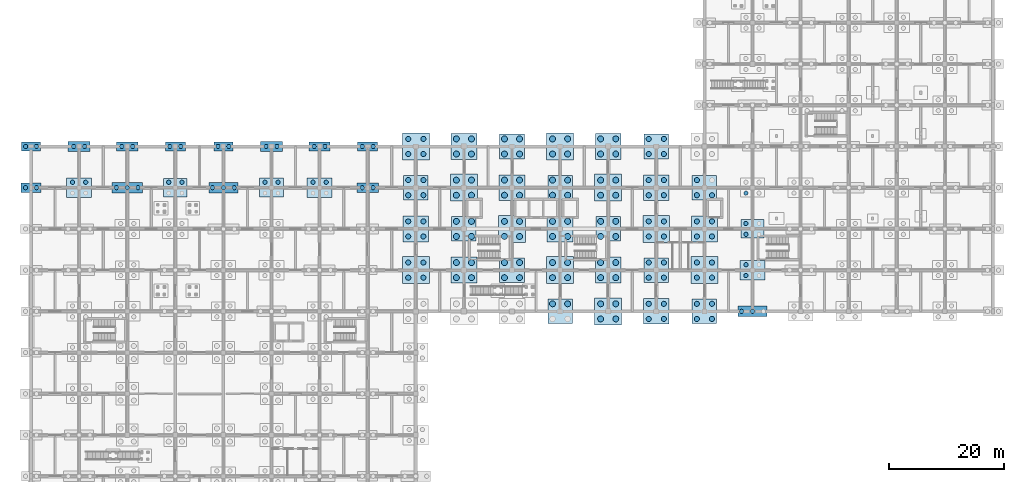
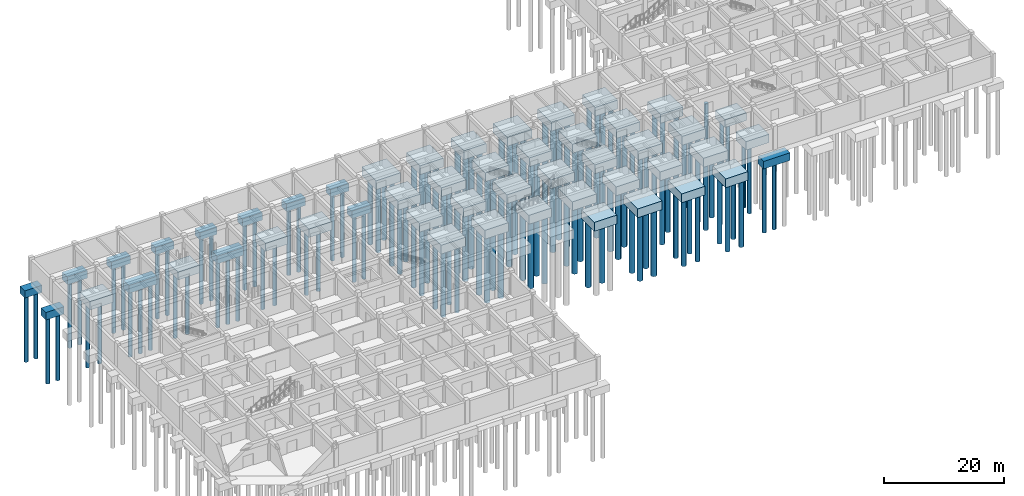
# One storey, part 3 of 38: 162 piles, 50 footings.
"""IFC4 building model written with IfcOpenShell, lengths in metres."""

from ifc_helpers import new_model, si_unit, derived_unit, direction, frame, origin, origin_2d, place, context, subcontext, project, spatial, rectangle, circle, extrude, material, material_profile, profile_set, type_object, element, save


model = new_model("IFC4")

# Units and contexts
model_context = context("Model", 3, precision=1e-05, world=origin(), true_north=direction((0.0, 1.0)))
body_context = subcontext(model_context, "Body", "Model", "MODEL_VIEW")
ifc_project = project(units=[si_unit("LENGTHUNIT", "METRE"), si_unit("AREAUNIT", "SQUARE_METRE"), si_unit("VOLUMEUNIT", "CUBIC_METRE"), si_unit("PLANEANGLEUNIT", "RADIAN"), si_unit("MASSUNIT", "GRAM", prefix="KILO"), derived_unit("THERMALTRANSMITTANCEUNIT", [(si_unit("MASSUNIT", "GRAM", prefix="KILO"), 1), (si_unit("TIMEUNIT", "SECOND"), -3), (si_unit("THERMODYNAMICTEMPERATUREUNIT", "KELVIN"), -1)])], contexts=[model_context])

# Site, building, storey
site_placement = place(None, origin())
site = spatial("IfcSite", under=ifc_project, at=site_placement, CompositionType="ELEMENT")
building_placement = place(site_placement, origin())
building = spatial("IfcBuilding", under=site, at=building_placement, Name="Veldstrom Oceanarium and Marine Research Institute", CompositionType="ELEMENT")
storey_placement = place(building_placement, frame((0.0, 0.0, -9.60009765625)))
storey = spatial("IfcBuildingStorey", under=building, at=storey_placement, Name="B02", CompositionType="ELEMENT", Elevation=-9.60009765625)

# Footings
ifc_material_1 = material(Name="Concrete C40/50", Category="concrete")
footing_type_1 = type_object("IfcFootingType", Name="STR-FTG-PC01", PredefinedType="PILE_CAP", material=ifc_material_1)
for number, where, z_axis, x_axis, name in (
    (1, (67.199951171875, 50.39990234375, -3.0), (0.0, 0.0, 1.0), (1.0, 0.0, 0.0), "Pile Cap PC01 9/H"),
    (2, (67.199951171875, 72.0, -3.0), (0.0, 0.0, 1.0), (1.0, 0.0, 0.0), "Pile Cap PC01 9/L"),
    (3, (75.60009765625, 64.800048828125, -3.0), (0.0, 0.0, 1.0), (1.0, 0.0, 0.0), "Pile Cap PC01 10/K"),
    (4, (84.0, 57.60009765625, -3.0), (0.0, 0.0, 1.0), (1.0, 0.0, 0.0), "Pile Cap PC01 11/J"),
    (5, (92.39990234375, 50.39990234375, -3.0), (0.0, 0.0, 1.0), (1.0, 0.0, 0.0), "Pile Cap PC01 12/H"),
    (6, (92.39990234375, 72.0, -3.0), (0.0, 0.0, 1.0), (1.0, 0.0, 0.0), "Pile Cap PC01 12/L"),
    (7, (100.800048828125, 43.199951171875, -3.0), (0.0, 0.0, 1.0), (1.0, 0.0, 0.0), "Pile Cap PC01 13/G"),
    (8, (100.800048828125, 64.800048828125, -3.0), (0.0, 0.0, 1.0), (1.0, 0.0, 0.0), "Pile Cap PC01 13/K"),
    (9, (109.199951171875, 57.60009765625, -3.0), (0.0, 0.0, 1.0), (1.0, 0.0, 0.0), "Pile Cap PC01 14/J"),
    (10, (117.60009765625, 50.39990234375, -3.0), (0.0, 0.0, 1.0), (1.0, 0.0, 0.0), "Pile Cap PC01 15/H"),
):
    element("IfcFooting", number, at=place(storey_placement, frame(where, z_axis=z_axis, x_axis=x_axis)), inside=storey, type_object=footing_type_1, Name=name, PredefinedType="PILE_CAP", context=body_context, shape_type="SweptSolid", body=[
        extrude(rectangle(XDim=4.699951171875, YDim=4.699951171875, at=origin_2d()), origin(), (0.0, 0.0, 1.0), 1.800048828125),
    ])
ifc_material_2 = material(Name="Concrete C40/50", Category="concrete")
footing_type_2 = type_object("IfcFootingType", Name="STR-FTG-PC02", PredefinedType="PILE_CAP", material=ifc_material_2)
for number, where, z_axis, x_axis, name in (
    (11, (67.199951171875, 57.60009765625, -3.0), (0.0, 0.0, 1.0), (1.0, 0.0, 0.0), "Pile Cap PC02 9/J"),
    (12, (75.60009765625, 50.39990234375, -3.0), (0.0, 0.0, 1.0), (1.0, 0.0, 0.0), "Pile Cap PC02 10/H"),
    (13, (75.60009765625, 72.0, -3.0), (0.0, 0.0, 1.0), (1.0, 0.0, 0.0), "Pile Cap PC02 10/L"),
    (14, (84.0, 64.800048828125, -3.0), (0.0, 0.0, 1.0), (1.0, 0.0, 0.0), "Pile Cap PC02 11/K"),
    (15, (92.39990234375, 57.60009765625, -3.0), (0.0, 0.0, 1.0), (1.0, 0.0, 0.0), "Pile Cap PC02 12/J"),
    (16, (100.800048828125, 50.39990234375, -3.0), (0.0, 0.0, 1.0), (1.0, 0.0, 0.0), "Pile Cap PC02 13/H"),
    (17, (100.800048828125, 72.0, -3.0), (0.0, 0.0, 1.0), (1.0, 0.0, 0.0), "Pile Cap PC02 13/L"),
    (18, (109.199951171875, 43.199951171875, -3.0), (0.0, 0.0, 1.0), (1.0, 0.0, 0.0), "Pile Cap PC02 14/G"),
    (19, (109.199951171875, 64.800048828125, -3.0), (0.0, 0.0, 1.0), (1.0, 0.0, 0.0), "Pile Cap PC02 14/K"),
    (20, (117.60009765625, 57.60009765625, -3.0), (0.0, 0.0, 1.0), (1.0, 0.0, 0.0), "Pile Cap PC02 15/J"),
):
    element("IfcFooting", number, at=place(storey_placement, frame(where, z_axis=z_axis, x_axis=x_axis)), inside=storey, type_object=footing_type_2, Name=name, PredefinedType="PILE_CAP", context=body_context, shape_type="SweptSolid", body=[
        extrude(rectangle(XDim=4.5, YDim=4.5, at=origin_2d()), origin(), (0.0, 0.0, 1.0), 1.800048828125),
    ])
ifc_material_3 = material(Name="Concrete C40/50", Category="concrete")
footing_type_3 = type_object("IfcFootingType", Name="STR-FTG-PC03", PredefinedType="PILE_CAP", material=ifc_material_3)
for number, where, z_axis, x_axis, name in (
    (21, (67.199951171875, 64.800048828125, -3.0), (0.0, 0.0, 1.0), (1.0, 0.0, 0.0), "Pile Cap PC03 9/K"),
    (22, (75.60009765625, 57.60009765625, -3.0), (0.0, 0.0, 1.0), (1.0, 0.0, 0.0), "Pile Cap PC03 10/J"),
    (23, (84.0, 50.39990234375, -3.0), (0.0, 0.0, 1.0), (1.0, 0.0, 0.0), "Pile Cap PC03 11/H"),
    (24, (84.0, 72.0, -3.0), (0.0, 0.0, 1.0), (1.0, 0.0, 0.0), "Pile Cap PC03 11/L"),
    (25, (92.39990234375, 43.199951171875, -3.0), (0.0, 0.0, 1.0), (1.0, 0.0, 0.0), "Pile Cap PC03 12/G"),
    (26, (92.39990234375, 64.800048828125, -3.0), (0.0, 0.0, 1.0), (1.0, 0.0, 0.0), "Pile Cap PC03 12/K"),
    (27, (100.800048828125, 57.60009765625, -3.0), (0.0, 0.0, 1.0), (1.0, 0.0, 0.0), "Pile Cap PC03 13/J"),
    (28, (109.199951171875, 50.39990234375, -3.0), (0.0, 0.0, 1.0), (1.0, 0.0, 0.0), "Pile Cap PC03 14/H"),
    (29, (109.199951171875, 72.0, -3.0), (0.0, 0.0, 1.0), (1.0, 0.0, 0.0), "Pile Cap PC03 14/L"),
    (30, (117.60009765625, 43.199951171875, -3.0), (0.0, 0.0, 1.0), (1.0, 0.0, 0.0), "Pile Cap PC03 15/G"),
    (31, (117.60009765625, 64.800048828125, -3.0), (0.0, 0.0, 1.0), (1.0, 0.0, 0.0), "Pile Cap PC03 15/K"),
):
    element("IfcFooting", number, at=place(storey_placement, frame(where, z_axis=z_axis, x_axis=x_axis)), inside=storey, type_object=footing_type_3, Name=name, PredefinedType="PILE_CAP", context=body_context, shape_type="SweptSolid", body=[
        extrude(rectangle(XDim=4.300048828125, YDim=4.300048828125, at=origin_2d()), origin(), (0.0, 0.0, 1.0), 1.800048828125),
    ])
ifc_material_4 = material(Name="Concrete C40/50", Category="concrete")
footing_type_4 = type_object("IfcFootingType", Name="STR-FTG-PC06", PredefinedType="PILE_CAP", material=ifc_material_4)
footing_1_placement = place(storey_placement, frame((16.800048828125, 64.800048828125, -2.800048828125), z_axis=(0.0, 0.0, 1.0), x_axis=(1.0, 0.0, 0.0)))
element("IfcFooting", 32, at=footing_1_placement, inside=storey, type_object=footing_type_4, Name="Pile Cap PC06 3/K", PredefinedType="PILE_CAP", context=body_context, shape_type="SweptSolid", body=[
    extrude(rectangle(XDim=5.39990234375, YDim=1.800048828125, at=origin_2d()), origin(), (0.0, 0.0, 1.0), 1.60009765625),
])
ifc_material_5 = material(Name="Concrete C40/50", Category="concrete")
footing_type_5 = type_object("IfcFootingType", Name="STR-FTG-PC07", PredefinedType="PILE_CAP", material=ifc_material_5)
for number, where, z_axis, x_axis, name in (
    (33, (33.60009765625, 64.800048828125, -2.75), (0.0, 0.0, 1.0), (1.0, 0.0, 0.0), "Pile Cap PC07 5/K"),
    (34, (126.0, 43.199951171875, -2.75), (0.0, 0.0, 1.0), (1.0, 0.0, 0.0), "Pile Cap PC07 16/G"),
):
    element("IfcFooting", number, at=place(storey_placement, frame(where, z_axis=z_axis, x_axis=x_axis)), inside=storey, type_object=footing_type_5, Name=name, PredefinedType="PILE_CAP", context=body_context, shape_type="SweptSolid", body=[
        extrude(rectangle(XDim=5.10009765625, YDim=1.800048828125, at=origin_2d()), origin(), (0.0, 0.0, 1.0), 1.550048828125),
    ])
ifc_material_6 = material(Name="Concrete C40/50", Category="concrete")
footing_type_6 = type_object("IfcFootingType", Name="STR-FTG-PC08", PredefinedType="PILE_CAP", material=ifc_material_6)
for number, where, z_axis, x_axis, name in (
    (35, (16.800048828125, 72.0, -2.699951171875), (0.0, 0.0, 1.0), (1.0, 0.0, 0.0), "Pile Cap PC08 3/L"),
    (36, (50.39990234375, 72.0, -2.699951171875), (0.0, 0.0, 1.0), (1.0, 0.0, 0.0), "Pile Cap PC08 7/L"),
    (37, (58.800048828125, 64.800048828125, -2.699951171875), (0.0, 0.0, 1.0), (1.0, 0.0, 0.0), "Pile Cap PC08 8/K"),
):
    element("IfcFooting", number, at=place(storey_placement, frame(where, z_axis=z_axis, x_axis=x_axis)), inside=storey, type_object=footing_type_6, Name=name, PredefinedType="PILE_CAP", context=body_context, shape_type="SweptSolid", body=[
        extrude(rectangle(XDim=3.699951171875, YDim=1.60009765625, at=origin_2d()), origin(), (0.0, 0.0, 1.0), 1.5),
    ])
ifc_material_7 = material(Name="Concrete C40/50", Category="concrete")
footing_type_7 = type_object("IfcFootingType", Name="STR-FTG-PC09", PredefinedType="PILE_CAP", material=ifc_material_7)
for number, where, z_axis, x_axis, name in (
    (38, (0.0, 64.800048828125, -2.699951171875), (0.0, 0.0, 1.0), (1.0, 0.0, 0.0), "Pile Cap PC09 1/K"),
    (39, (25.199951171875, 72.0, -2.699951171875), (0.0, 0.0, 1.0), (1.0, 0.0, 0.0), "Pile Cap PC09 4/L"),
    (40, (58.800048828125, 72.0, -2.699951171875), (0.0, 0.0, 1.0), (1.0, 0.0, 0.0), "Pile Cap PC09 8/L"),
):
    element("IfcFooting", number, at=place(storey_placement, frame(where, z_axis=z_axis, x_axis=x_axis)), inside=storey, type_object=footing_type_7, Name=name, PredefinedType="PILE_CAP", context=body_context, shape_type="SweptSolid", body=[
        extrude(rectangle(XDim=3.5, YDim=1.60009765625, at=origin_2d()), origin(), (0.0, 0.0, 1.0), 1.5),
    ])
ifc_material_8 = material(Name="Concrete C40/50", Category="concrete")
footing_type_8 = type_object("IfcFootingType", Name="STR-FTG-PC10", PredefinedType="PILE_CAP", material=ifc_material_8)
for number, where, z_axis, x_axis, name in (
    (41, (0.0, 72.0, -2.64990234375), (0.0, 0.0, 1.0), (1.0, 0.0, 0.0), "Pile Cap PC10 1/L"),
    (42, (33.60009765625, 72.0, -2.64990234375), (0.0, 0.0, 1.0), (1.0, 0.0, 0.0), "Pile Cap PC10 5/L"),
):
    element("IfcFooting", number, at=place(storey_placement, frame(where, z_axis=z_axis, x_axis=x_axis)), inside=storey, type_object=footing_type_8, Name=name, PredefinedType="PILE_CAP", context=body_context, shape_type="SweptSolid", body=[
        extrude(rectangle(XDim=3.300048828125, YDim=1.60009765625, at=origin_2d()), origin(), (0.0, 0.0, 1.0), 1.449951171875),
    ])
ifc_material_9 = material(Name="Concrete C40/50", Category="concrete")
footing_type_9 = type_object("IfcFootingType", Name="STR-FTG-PC11", PredefinedType="PILE_CAP", material=ifc_material_9)
for number, where, z_axis, x_axis, name in (
    (43, (8.39990234375, 64.800048828125, -2.89990234375), (0.0, 0.0, 1.0), (1.0, 0.0, 0.0), "Pile Cap PC11 2/K"),
    (44, (50.39990234375, 64.800048828125, -2.89990234375), (0.0, 0.0, 1.0), (1.0, 0.0, 0.0), "Pile Cap PC11 7/K"),
    (45, (126.0, 50.39990234375, -2.89990234375), (0.0, 0.0, 1.0), (1.0, 0.0, 0.0), "Pile Cap PC11 16/H"),
):
    element("IfcFooting", number, at=place(storey_placement, frame(where, z_axis=z_axis, x_axis=x_axis)), inside=storey, type_object=footing_type_9, Name=name, PredefinedType="PILE_CAP", context=body_context, shape_type="SweptSolid", body=[
        extrude(rectangle(XDim=4.39990234375, YDim=3.39990234375, at=origin_2d()), origin(), (0.0, 0.0, 1.0), 1.699951171875),
    ])
ifc_material_10 = material(Name="Concrete C40/50", Category="concrete")
footing_type_10 = type_object("IfcFootingType", Name="STR-FTG-PC12", PredefinedType="PILE_CAP", material=ifc_material_10)
for number, where, z_axis, x_axis, name in (
    (46, (25.199951171875, 64.800048828125, -2.800048828125), (0.0, 0.0, 1.0), (1.0, 0.0, 0.0), "Pile Cap PC12 4/K"),
    (47, (126.0, 57.60009765625, -2.800048828125), (0.0, 0.0, 1.0), (1.0, 0.0, 0.0), "Pile Cap PC12 16/J"),
):
    element("IfcFooting", number, at=place(storey_placement, frame(where, z_axis=z_axis, x_axis=x_axis)), inside=storey, type_object=footing_type_10, Name=name, PredefinedType="PILE_CAP", context=body_context, shape_type="SweptSolid", body=[
        extrude(rectangle(XDim=4.10009765625, YDim=3.199951171875, at=origin_2d()), origin(), (0.0, 0.0, 1.0), 1.60009765625),
    ])
ifc_material_11 = material(Name="Concrete C40/50", Category="concrete")
footing_type_11 = type_object("IfcFootingType", Name="STR-FTG-PC13", PredefinedType="PILE_CAP", material=ifc_material_11)
footing_2_placement = place(storey_placement, frame((42.0, 64.800048828125, -2.849853515625), z_axis=(0.0, 0.0, 1.0), x_axis=(1.0, 0.0, 0.0)))
element("IfcFooting", 48, at=footing_2_placement, inside=storey, type_object=footing_type_11, Name="Pile Cap PC13 6/K", PredefinedType="PILE_CAP", context=body_context, shape_type="SweptSolid", body=[
    extrude(rectangle(XDim=4.25, YDim=3.300048828125, at=origin_2d()), origin(), (0.0, 0.0, 1.0), 1.64990234375),
])
ifc_material_12 = material(Name="Concrete C40/50", Category="concrete")
footing_type_12 = type_object("IfcFootingType", Name="STR-FTG-PC14", PredefinedType="PILE_CAP", material=ifc_material_12)
for number, where, z_axis, x_axis, name in (
    (49, (8.39990234375, 72.0, -2.75), (0.0, 0.0, 1.0), (1.0, 0.0, 0.0), "Pile Cap PC14 2/L"),
    (50, (42.0, 72.0, -2.75), (0.0, 0.0, 1.0), (1.0, 0.0, 0.0), "Pile Cap PC14 6/L"),
):
    element("IfcFooting", number, at=place(storey_placement, frame(where, z_axis=z_axis, x_axis=x_axis)), inside=storey, type_object=footing_type_12, Name=name, PredefinedType="PILE_CAP", context=body_context, shape_type="SweptSolid", body=[
        extrude(rectangle(XDim=3.85009765625, YDim=1.699951171875, at=origin_2d()), origin(), (0.0, 0.0, 1.0), 1.550048828125),
    ])

# Piles
ifc_material_13 = material(Name="Concrete C40/50", Category="concrete")
ifc_material_profile_1 = material_profile(ifc_material_13, circle(Radius=0.375, at=origin_2d()), Name="PILE-D750")
ifc_profile_set_1 = profile_set([ifc_material_profile_1], Name="Concrete C40/50")
pile_type_1 = type_object("IfcPileType", Name="STR-PILE-PL1", PredefinedType="BORED", material=ifc_profile_set_1)
for number, where, z_axis, x_axis, name in (
    (51, (-0.949951171875, 64.800048828125, -2.699951171875), (0.0, 0.0, -1.0), (1.0, 0.0, 0.0), "Bored Pile PL1-019"),
    (52, (0.949951171875, 64.800048828125, -2.699951171875), (0.0, 0.0, -1.0), (1.0, 0.0, 0.0), "Bored Pile PL1-020"),
    (53, (-0.949951171875, 72.0, -2.64990234375), (0.0, 0.0, -1.0), (1.0, 0.0, 0.0), "Bored Pile PL1-021"),
    (54, (0.949951171875, 72.0, -2.64990234375), (0.0, 0.0, -1.0), (1.0, 0.0, 0.0), "Bored Pile PL1-022"),
    (55, (7.25, 65.75, -2.89990234375), (0.0, 0.0, -1.0), (1.0, 0.0, 0.0), "Bored Pile PL1-055"),
    (56, (9.550048828125, 65.75, -2.89990234375), (0.0, 0.0, -1.0), (1.0, 0.0, 0.0), "Bored Pile PL1-056"),
    (57, (7.449951171875, 72.0, -2.75), (0.0, 0.0, -1.0), (1.0, 0.0, 0.0), "Bored Pile PL1-057"),
    (58, (9.35009765625, 72.0, -2.75), (0.0, 0.0, -1.0), (1.0, 0.0, 0.0), "Bored Pile PL1-058"),
    (59, (14.89990234375, 64.800048828125, -2.7998046875), (0.0, 0.0, -1.0), (1.0, 0.0, 0.0), "Bored Pile PL1-093"),
    (60, (16.800048828125, 64.800048828125, -2.7998046875), (0.0, 0.0, -1.0), (1.0, 0.0, 0.0), "Bored Pile PL1-094"),
    (61, (18.699951171875, 64.800048828125, -2.7998046875), (0.0, 0.0, -1.0), (1.0, 0.0, 0.0), "Bored Pile PL1-095"),
    (62, (15.85009765625, 72.0, -2.699951171875), (0.0, 0.0, -1.0), (1.0, 0.0, 0.0), "Bored Pile PL1-096"),
    (63, (17.75, 72.0, -2.699951171875), (0.0, 0.0, -1.0), (1.0, 0.0, 0.0), "Bored Pile PL1-097"),
    (64, (24.050048828125, 65.75, -2.7998046875), (0.0, 0.0, -1.0), (1.0, 0.0, 0.0), "Bored Pile PL1-126"),
    (65, (26.35009765625, 65.75, -2.7998046875), (0.0, 0.0, -1.0), (1.0, 0.0, 0.0), "Bored Pile PL1-127"),
    (66, (24.25, 72.0, -2.699951171875), (0.0, 0.0, -1.0), (1.0, 0.0, 0.0), "Bored Pile PL1-128"),
    (67, (26.14990234375, 72.0, -2.699951171875), (0.0, 0.0, -1.0), (1.0, 0.0, 0.0), "Bored Pile PL1-129"),
    (68, (31.699951171875, 64.800048828125, -2.75), (0.0, 0.0, -1.0), (1.0, 0.0, 0.0), "Bored Pile PL1-159"),
    (69, (33.60009765625, 64.800048828125, -2.75), (0.0, 0.0, -1.0), (1.0, 0.0, 0.0), "Bored Pile PL1-160"),
    (70, (35.5, 64.800048828125, -2.75), (0.0, 0.0, -1.0), (1.0, 0.0, 0.0), "Bored Pile PL1-161"),
    (71, (32.64990234375, 72.0, -2.64990234375), (0.0, 0.0, -1.0), (1.0, 0.0, 0.0), "Bored Pile PL1-162"),
    (72, (34.550048828125, 72.0, -2.64990234375), (0.0, 0.0, -1.0), (1.0, 0.0, 0.0), "Bored Pile PL1-163"),
    (73, (40.85009765625, 65.75, -2.849853515625), (0.0, 0.0, -1.0), (1.0, 0.0, 0.0), "Bored Pile PL1-198"),
    (74, (43.14990234375, 65.75, -2.849853515625), (0.0, 0.0, -1.0), (1.0, 0.0, 0.0), "Bored Pile PL1-199"),
    (75, (41.050048828125, 72.0, -2.75), (0.0, 0.0, -1.0), (1.0, 0.0, 0.0), "Bored Pile PL1-200"),
    (76, (42.949951171875, 72.0, -2.75), (0.0, 0.0, -1.0), (1.0, 0.0, 0.0), "Bored Pile PL1-201"),
    (77, (49.25, 65.75, -2.89990234375), (0.0, 0.0, -1.0), (1.0, 0.0, 0.0), "Bored Pile PL1-234"),
    (78, (51.550048828125, 65.75, -2.89990234375), (0.0, 0.0, -1.0), (1.0, 0.0, 0.0), "Bored Pile PL1-235"),
    (79, (49.449951171875, 72.0, -2.699951171875), (0.0, 0.0, -1.0), (1.0, 0.0, 0.0), "Bored Pile PL1-236"),
    (80, (51.35009765625, 72.0, -2.699951171875), (0.0, 0.0, -1.0), (1.0, 0.0, 0.0), "Bored Pile PL1-237"),
    (81, (57.85009765625, 64.800048828125, -2.699951171875), (0.0, 0.0, -1.0), (1.0, 0.0, 0.0), "Bored Pile PL1-256"),
    (82, (59.75, 64.800048828125, -2.699951171875), (0.0, 0.0, -1.0), (1.0, 0.0, 0.0), "Bored Pile PL1-257"),
    (83, (57.85009765625, 72.0, -2.699951171875), (0.0, 0.0, -1.0), (1.0, 0.0, 0.0), "Bored Pile PL1-258"),
    (84, (59.75, 72.0, -2.699951171875), (0.0, 0.0, -1.0), (1.0, 0.0, 0.0), "Bored Pile PL1-259"),
    (85, (124.10009765625, 43.199951171875, -2.75), (0.0, 0.0, -1.0), (1.0, 0.0, 0.0), "Bored Pile PL1-432"),
    (86, (126.0, 43.199951171875, -2.75), (0.0, 0.0, -1.0), (1.0, 0.0, 0.0), "Bored Pile PL1-433"),
    (87, (124.85009765625, 49.449951171875, -2.89990234375), (0.0, 0.0, -1.0), (1.0, 0.0, 0.0), "Bored Pile PL1-435"),
    (88, (124.85009765625, 51.35009765625, -2.89990234375), (0.0, 0.0, -1.0), (1.0, 0.0, 0.0), "Bored Pile PL1-437"),
    (89, (124.85009765625, 56.64990234375, -2.7998046875), (0.0, 0.0, -1.0), (1.0, 0.0, 0.0), "Bored Pile PL1-439"),
    (90, (124.85009765625, 58.550048828125, -2.7998046875), (0.0, 0.0, -1.0), (1.0, 0.0, 0.0), "Bored Pile PL1-441"),
    (91, (124.85009765625, 63.85009765625, -2.849853515625), (0.0, 0.0, -1.0), (1.0, 0.0, 0.0), "Bored Pile PL1-443"),
):
    element("IfcPile", number, at=place(storey_placement, frame(where, z_axis=z_axis, x_axis=x_axis)), inside=storey, type_object=pile_type_1, Name=name, PredefinedType="BORED", context=body_context, shape_type="SweptSolid", body=[
        extrude(circle(Radius=0.375, at=origin_2d()), origin(), (0.0, 0.0, 1.0), 13.5),
    ])
ifc_material_14 = material(Name="Concrete C40/50", Category="concrete")
ifc_material_profile_2 = material_profile(ifc_material_14, circle(Radius=0.449951171875, at=origin_2d()), Name="PILE-D900")
ifc_profile_set_2 = profile_set([ifc_material_profile_2], Name="Concrete C40/50")
pile_type_2 = type_object("IfcPileType", Name="STR-PILE-PL2", PredefinedType="BORED", material=ifc_profile_set_2)
for number, where, z_axis, x_axis, name in (
    (92, (65.8798828125, 49.080078125, -3.0), (0.0, 0.0, -1.0), (1.0, 0.0, 0.0), "Bored Pile PL2-284"),
    (93, (68.52001953125, 49.080078125, -3.0), (0.0, 0.0, -1.0), (1.0, 0.0, 0.0), "Bored Pile PL2-285"),
    (94, (65.8798828125, 51.719970703125, -3.0), (0.0, 0.0, -1.0), (1.0, 0.0, 0.0), "Bored Pile PL2-286"),
    (95, (68.52001953125, 51.719970703125, -3.0), (0.0, 0.0, -1.0), (1.0, 0.0, 0.0), "Bored Pile PL2-287"),
    (96, (65.8798828125, 56.280029296875, -3.0), (0.0, 0.0, -1.0), (1.0, 0.0, 0.0), "Bored Pile PL2-288"),
    (97, (68.52001953125, 56.280029296875, -3.0), (0.0, 0.0, -1.0), (1.0, 0.0, 0.0), "Bored Pile PL2-289"),
    (98, (65.8798828125, 58.919921875, -3.0), (0.0, 0.0, -1.0), (1.0, 0.0, 0.0), "Bored Pile PL2-290"),
    (99, (68.52001953125, 58.919921875, -3.0), (0.0, 0.0, -1.0), (1.0, 0.0, 0.0), "Bored Pile PL2-291"),
    (100, (65.8798828125, 63.47998046875, -3.0), (0.0, 0.0, -1.0), (1.0, 0.0, 0.0), "Bored Pile PL2-292"),
    (101, (68.52001953125, 63.47998046875, -3.0), (0.0, 0.0, -1.0), (1.0, 0.0, 0.0), "Bored Pile PL2-293"),
    (102, (65.8798828125, 66.1201171875, -3.0), (0.0, 0.0, -1.0), (1.0, 0.0, 0.0), "Bored Pile PL2-294"),
    (103, (68.52001953125, 66.1201171875, -3.0), (0.0, 0.0, -1.0), (1.0, 0.0, 0.0), "Bored Pile PL2-295"),
    (104, (65.8798828125, 70.679931640625, -3.0), (0.0, 0.0, -1.0), (1.0, 0.0, 0.0), "Bored Pile PL2-296"),
    (105, (68.52001953125, 70.679931640625, -3.0), (0.0, 0.0, -1.0), (1.0, 0.0, 0.0), "Bored Pile PL2-297"),
    (106, (65.8798828125, 73.320068359375, -3.0), (0.0, 0.0, -1.0), (1.0, 0.0, 0.0), "Bored Pile PL2-298"),
    (107, (68.52001953125, 73.320068359375, -3.0), (0.0, 0.0, -1.0), (1.0, 0.0, 0.0), "Bored Pile PL2-299"),
    (108, (107.8798828125, 41.8798828125, -3.0), (0.0, 0.0, -1.0), (1.0, 0.0, 0.0), "Bored Pile PL2-380"),
    (109, (110.52001953125, 41.8798828125, -3.0), (0.0, 0.0, -1.0), (1.0, 0.0, 0.0), "Bored Pile PL2-381"),
    (110, (107.8798828125, 44.52001953125, -3.0), (0.0, 0.0, -1.0), (1.0, 0.0, 0.0), "Bored Pile PL2-382"),
    (111, (110.52001953125, 44.52001953125, -3.0), (0.0, 0.0, -1.0), (1.0, 0.0, 0.0), "Bored Pile PL2-383"),
    (112, (107.8798828125, 49.080078125, -3.0), (0.0, 0.0, -1.0), (1.0, 0.0, 0.0), "Bored Pile PL2-384"),
    (113, (110.52001953125, 49.080078125, -3.0), (0.0, 0.0, -1.0), (1.0, 0.0, 0.0), "Bored Pile PL2-385"),
    (114, (107.8798828125, 51.719970703125, -3.0), (0.0, 0.0, -1.0), (1.0, 0.0, 0.0), "Bored Pile PL2-386"),
    (115, (110.52001953125, 51.719970703125, -3.0), (0.0, 0.0, -1.0), (1.0, 0.0, 0.0), "Bored Pile PL2-387"),
    (116, (107.8798828125, 56.280029296875, -3.0), (0.0, 0.0, -1.0), (1.0, 0.0, 0.0), "Bored Pile PL2-388"),
    (117, (110.52001953125, 56.280029296875, -3.0), (0.0, 0.0, -1.0), (1.0, 0.0, 0.0), "Bored Pile PL2-389"),
    (118, (107.8798828125, 58.919921875, -3.0), (0.0, 0.0, -1.0), (1.0, 0.0, 0.0), "Bored Pile PL2-390"),
    (119, (110.52001953125, 58.919921875, -3.0), (0.0, 0.0, -1.0), (1.0, 0.0, 0.0), "Bored Pile PL2-391"),
    (120, (107.8798828125, 63.47998046875, -3.0), (0.0, 0.0, -1.0), (1.0, 0.0, 0.0), "Bored Pile PL2-392"),
    (121, (110.52001953125, 63.47998046875, -3.0), (0.0, 0.0, -1.0), (1.0, 0.0, 0.0), "Bored Pile PL2-393"),
    (122, (107.8798828125, 66.1201171875, -3.0), (0.0, 0.0, -1.0), (1.0, 0.0, 0.0), "Bored Pile PL2-394"),
    (123, (110.52001953125, 66.1201171875, -3.0), (0.0, 0.0, -1.0), (1.0, 0.0, 0.0), "Bored Pile PL2-395"),
    (124, (107.8798828125, 70.679931640625, -3.0), (0.0, 0.0, -1.0), (1.0, 0.0, 0.0), "Bored Pile PL2-396"),
    (125, (110.52001953125, 70.679931640625, -3.0), (0.0, 0.0, -1.0), (1.0, 0.0, 0.0), "Bored Pile PL2-397"),
    (126, (107.8798828125, 73.320068359375, -3.0), (0.0, 0.0, -1.0), (1.0, 0.0, 0.0), "Bored Pile PL2-398"),
    (127, (110.52001953125, 73.320068359375, -3.0), (0.0, 0.0, -1.0), (1.0, 0.0, 0.0), "Bored Pile PL2-399"),
    (128, (116.280029296875, 41.8798828125, -3.0), (0.0, 0.0, -1.0), (1.0, 0.0, 0.0), "Bored Pile PL2-400"),
    (129, (118.919921875, 41.8798828125, -3.0), (0.0, 0.0, -1.0), (1.0, 0.0, 0.0), "Bored Pile PL2-401"),
    (130, (116.280029296875, 44.52001953125, -3.0), (0.0, 0.0, -1.0), (1.0, 0.0, 0.0), "Bored Pile PL2-402"),
    (131, (118.919921875, 44.52001953125, -3.0), (0.0, 0.0, -1.0), (1.0, 0.0, 0.0), "Bored Pile PL2-403"),
    (132, (116.280029296875, 49.080078125, -3.0), (0.0, 0.0, -1.0), (1.0, 0.0, 0.0), "Bored Pile PL2-404"),
    (133, (118.919921875, 49.080078125, -3.0), (0.0, 0.0, -1.0), (1.0, 0.0, 0.0), "Bored Pile PL2-405"),
    (134, (116.280029296875, 51.719970703125, -3.0), (0.0, 0.0, -1.0), (1.0, 0.0, 0.0), "Bored Pile PL2-406"),
    (135, (118.919921875, 51.719970703125, -3.0), (0.0, 0.0, -1.0), (1.0, 0.0, 0.0), "Bored Pile PL2-407"),
    (136, (116.280029296875, 56.280029296875, -3.0), (0.0, 0.0, -1.0), (1.0, 0.0, 0.0), "Bored Pile PL2-408"),
    (137, (118.919921875, 56.280029296875, -3.0), (0.0, 0.0, -1.0), (1.0, 0.0, 0.0), "Bored Pile PL2-409"),
    (138, (116.280029296875, 58.919921875, -3.0), (0.0, 0.0, -1.0), (1.0, 0.0, 0.0), "Bored Pile PL2-410"),
    (139, (118.919921875, 58.919921875, -3.0), (0.0, 0.0, -1.0), (1.0, 0.0, 0.0), "Bored Pile PL2-411"),
    (140, (116.280029296875, 63.47998046875, -3.0), (0.0, 0.0, -1.0), (1.0, 0.0, 0.0), "Bored Pile PL2-412"),
    (141, (118.919921875, 63.47998046875, -3.0), (0.0, 0.0, -1.0), (1.0, 0.0, 0.0), "Bored Pile PL2-413"),
    (142, (116.280029296875, 66.1201171875, -3.0), (0.0, 0.0, -1.0), (1.0, 0.0, 0.0), "Bored Pile PL2-414"),
):
    element("IfcPile", number, at=place(storey_placement, frame(where, z_axis=z_axis, x_axis=x_axis)), inside=storey, type_object=pile_type_2, Name=name, PredefinedType="BORED", context=body_context, shape_type="SweptSolid", body=[
        extrude(circle(Radius=0.449951171875, at=origin_2d()), origin(), (0.0, 0.0, 1.0), 13.5),
    ])
ifc_material_15 = material(Name="Concrete C40/50", Category="concrete")
ifc_material_profile_3 = material_profile(ifc_material_15, circle(Radius=0.52490234375, at=origin_2d()), Name="PILE-D1050")
ifc_profile_set_3 = profile_set([ifc_material_profile_3], Name="Concrete C40/50")
pile_type_3 = type_object("IfcPileType", Name="STR-PILE-PL3", PredefinedType="BORED", material=ifc_profile_set_3)
for number, where, z_axis, x_axis, name in (
    (143, (74.280029296875, 49.080078125, -3.0), (0.0, 0.0, -1.0), (1.0, 0.0, 0.0), "Bored Pile PL3-304"),
    (144, (76.919921875, 49.080078125, -3.0), (0.0, 0.0, -1.0), (1.0, 0.0, 0.0), "Bored Pile PL3-305"),
    (145, (74.280029296875, 51.719970703125, -3.0), (0.0, 0.0, -1.0), (1.0, 0.0, 0.0), "Bored Pile PL3-306"),
    (146, (76.919921875, 51.719970703125, -3.0), (0.0, 0.0, -1.0), (1.0, 0.0, 0.0), "Bored Pile PL3-307"),
    (147, (74.280029296875, 56.280029296875, -3.0), (0.0, 0.0, -1.0), (1.0, 0.0, 0.0), "Bored Pile PL3-308"),
    (148, (76.919921875, 56.280029296875, -3.0), (0.0, 0.0, -1.0), (1.0, 0.0, 0.0), "Bored Pile PL3-309"),
    (149, (74.280029296875, 58.919921875, -3.0), (0.0, 0.0, -1.0), (1.0, 0.0, 0.0), "Bored Pile PL3-310"),
    (150, (76.919921875, 58.919921875, -3.0), (0.0, 0.0, -1.0), (1.0, 0.0, 0.0), "Bored Pile PL3-311"),
    (151, (74.280029296875, 63.47998046875, -3.0), (0.0, 0.0, -1.0), (1.0, 0.0, 0.0), "Bored Pile PL3-312"),
    (152, (76.919921875, 63.47998046875, -3.0), (0.0, 0.0, -1.0), (1.0, 0.0, 0.0), "Bored Pile PL3-313"),
    (153, (74.280029296875, 66.1201171875, -3.0), (0.0, 0.0, -1.0), (1.0, 0.0, 0.0), "Bored Pile PL3-314"),
    (154, (76.919921875, 66.1201171875, -3.0), (0.0, 0.0, -1.0), (1.0, 0.0, 0.0), "Bored Pile PL3-315"),
    (155, (74.280029296875, 70.679931640625, -3.0), (0.0, 0.0, -1.0), (1.0, 0.0, 0.0), "Bored Pile PL3-316"),
    (156, (76.919921875, 70.679931640625, -3.0), (0.0, 0.0, -1.0), (1.0, 0.0, 0.0), "Bored Pile PL3-317"),
    (157, (74.280029296875, 73.320068359375, -3.0), (0.0, 0.0, -1.0), (1.0, 0.0, 0.0), "Bored Pile PL3-318"),
    (158, (76.919921875, 73.320068359375, -3.0), (0.0, 0.0, -1.0), (1.0, 0.0, 0.0), "Bored Pile PL3-319"),
    (159, (82.679931640625, 49.080078125, -3.0), (0.0, 0.0, -1.0), (1.0, 0.0, 0.0), "Bored Pile PL3-324"),
    (160, (85.320068359375, 49.080078125, -3.0), (0.0, 0.0, -1.0), (1.0, 0.0, 0.0), "Bored Pile PL3-325"),
    (161, (82.679931640625, 51.719970703125, -3.0), (0.0, 0.0, -1.0), (1.0, 0.0, 0.0), "Bored Pile PL3-326"),
    (162, (85.320068359375, 51.719970703125, -3.0), (0.0, 0.0, -1.0), (1.0, 0.0, 0.0), "Bored Pile PL3-327"),
    (163, (82.679931640625, 56.280029296875, -3.0), (0.0, 0.0, -1.0), (1.0, 0.0, 0.0), "Bored Pile PL3-328"),
    (164, (85.320068359375, 56.280029296875, -3.0), (0.0, 0.0, -1.0), (1.0, 0.0, 0.0), "Bored Pile PL3-329"),
    (165, (82.679931640625, 58.919921875, -3.0), (0.0, 0.0, -1.0), (1.0, 0.0, 0.0), "Bored Pile PL3-330"),
    (166, (85.320068359375, 58.919921875, -3.0), (0.0, 0.0, -1.0), (1.0, 0.0, 0.0), "Bored Pile PL3-331"),
    (167, (82.679931640625, 63.47998046875, -3.0), (0.0, 0.0, -1.0), (1.0, 0.0, 0.0), "Bored Pile PL3-332"),
    (168, (85.320068359375, 63.47998046875, -3.0), (0.0, 0.0, -1.0), (1.0, 0.0, 0.0), "Bored Pile PL3-333"),
    (169, (82.679931640625, 66.1201171875, -3.0), (0.0, 0.0, -1.0), (1.0, 0.0, 0.0), "Bored Pile PL3-334"),
    (170, (85.320068359375, 66.1201171875, -3.0), (0.0, 0.0, -1.0), (1.0, 0.0, 0.0), "Bored Pile PL3-335"),
    (171, (82.679931640625, 70.679931640625, -3.0), (0.0, 0.0, -1.0), (1.0, 0.0, 0.0), "Bored Pile PL3-336"),
    (172, (85.320068359375, 70.679931640625, -3.0), (0.0, 0.0, -1.0), (1.0, 0.0, 0.0), "Bored Pile PL3-337"),
    (173, (82.679931640625, 73.320068359375, -3.0), (0.0, 0.0, -1.0), (1.0, 0.0, 0.0), "Bored Pile PL3-338"),
    (174, (85.320068359375, 73.320068359375, -3.0), (0.0, 0.0, -1.0), (1.0, 0.0, 0.0), "Bored Pile PL3-339"),
    (175, (91.080078125, 44.52001953125, -3.0), (0.0, 0.0, -1.0), (1.0, 0.0, 0.0), "Bored Pile PL3-342"),
    (176, (93.719970703125, 44.52001953125, -3.0), (0.0, 0.0, -1.0), (1.0, 0.0, 0.0), "Bored Pile PL3-343"),
    (177, (91.080078125, 49.080078125, -3.0), (0.0, 0.0, -1.0), (1.0, 0.0, 0.0), "Bored Pile PL3-344"),
    (178, (93.719970703125, 49.080078125, -3.0), (0.0, 0.0, -1.0), (1.0, 0.0, 0.0), "Bored Pile PL3-345"),
    (179, (91.080078125, 51.719970703125, -3.0), (0.0, 0.0, -1.0), (1.0, 0.0, 0.0), "Bored Pile PL3-346"),
    (180, (93.719970703125, 51.719970703125, -3.0), (0.0, 0.0, -1.0), (1.0, 0.0, 0.0), "Bored Pile PL3-347"),
    (181, (91.080078125, 56.280029296875, -3.0), (0.0, 0.0, -1.0), (1.0, 0.0, 0.0), "Bored Pile PL3-348"),
    (182, (93.719970703125, 56.280029296875, -3.0), (0.0, 0.0, -1.0), (1.0, 0.0, 0.0), "Bored Pile PL3-349"),
    (183, (91.080078125, 58.919921875, -3.0), (0.0, 0.0, -1.0), (1.0, 0.0, 0.0), "Bored Pile PL3-350"),
    (184, (93.719970703125, 58.919921875, -3.0), (0.0, 0.0, -1.0), (1.0, 0.0, 0.0), "Bored Pile PL3-351"),
    (185, (91.080078125, 63.47998046875, -3.0), (0.0, 0.0, -1.0), (1.0, 0.0, 0.0), "Bored Pile PL3-352"),
    (186, (93.719970703125, 63.47998046875, -3.0), (0.0, 0.0, -1.0), (1.0, 0.0, 0.0), "Bored Pile PL3-353"),
    (187, (91.080078125, 66.1201171875, -3.0), (0.0, 0.0, -1.0), (1.0, 0.0, 0.0), "Bored Pile PL3-354"),
    (188, (93.719970703125, 66.1201171875, -3.0), (0.0, 0.0, -1.0), (1.0, 0.0, 0.0), "Bored Pile PL3-355"),
    (189, (91.080078125, 70.679931640625, -3.0), (0.0, 0.0, -1.0), (1.0, 0.0, 0.0), "Bored Pile PL3-356"),
    (190, (93.719970703125, 70.679931640625, -3.0), (0.0, 0.0, -1.0), (1.0, 0.0, 0.0), "Bored Pile PL3-357"),
    (191, (91.080078125, 73.320068359375, -3.0), (0.0, 0.0, -1.0), (1.0, 0.0, 0.0), "Bored Pile PL3-358"),
    (192, (93.719970703125, 73.320068359375, -3.0), (0.0, 0.0, -1.0), (1.0, 0.0, 0.0), "Bored Pile PL3-359"),
    (193, (99.47998046875, 41.8798828125, -3.0), (0.0, 0.0, -1.0), (1.0, 0.0, 0.0), "Bored Pile PL3-360"),
    (194, (102.1201171875, 41.8798828125, -3.0), (0.0, 0.0, -1.0), (1.0, 0.0, 0.0), "Bored Pile PL3-361"),
    (195, (99.47998046875, 44.52001953125, -3.0), (0.0, 0.0, -1.0), (1.0, 0.0, 0.0), "Bored Pile PL3-362"),
    (196, (102.1201171875, 44.52001953125, -3.0), (0.0, 0.0, -1.0), (1.0, 0.0, 0.0), "Bored Pile PL3-363"),
    (197, (99.47998046875, 49.080078125, -3.0), (0.0, 0.0, -1.0), (1.0, 0.0, 0.0), "Bored Pile PL3-364"),
    (198, (102.1201171875, 49.080078125, -3.0), (0.0, 0.0, -1.0), (1.0, 0.0, 0.0), "Bored Pile PL3-365"),
    (199, (99.47998046875, 51.719970703125, -3.0), (0.0, 0.0, -1.0), (1.0, 0.0, 0.0), "Bored Pile PL3-366"),
    (200, (102.1201171875, 51.719970703125, -3.0), (0.0, 0.0, -1.0), (1.0, 0.0, 0.0), "Bored Pile PL3-367"),
    (201, (99.47998046875, 56.280029296875, -3.0), (0.0, 0.0, -1.0), (1.0, 0.0, 0.0), "Bored Pile PL3-368"),
    (202, (102.1201171875, 56.280029296875, -3.0), (0.0, 0.0, -1.0), (1.0, 0.0, 0.0), "Bored Pile PL3-369"),
    (203, (99.47998046875, 58.919921875, -3.0), (0.0, 0.0, -1.0), (1.0, 0.0, 0.0), "Bored Pile PL3-370"),
    (204, (102.1201171875, 58.919921875, -3.0), (0.0, 0.0, -1.0), (1.0, 0.0, 0.0), "Bored Pile PL3-371"),
    (205, (99.47998046875, 63.47998046875, -3.0), (0.0, 0.0, -1.0), (1.0, 0.0, 0.0), "Bored Pile PL3-372"),
    (206, (102.1201171875, 63.47998046875, -3.0), (0.0, 0.0, -1.0), (1.0, 0.0, 0.0), "Bored Pile PL3-373"),
    (207, (99.47998046875, 66.1201171875, -3.0), (0.0, 0.0, -1.0), (1.0, 0.0, 0.0), "Bored Pile PL3-374"),
    (208, (102.1201171875, 66.1201171875, -3.0), (0.0, 0.0, -1.0), (1.0, 0.0, 0.0), "Bored Pile PL3-375"),
    (209, (99.47998046875, 70.679931640625, -3.0), (0.0, 0.0, -1.0), (1.0, 0.0, 0.0), "Bored Pile PL3-376"),
    (210, (102.1201171875, 70.679931640625, -3.0), (0.0, 0.0, -1.0), (1.0, 0.0, 0.0), "Bored Pile PL3-377"),
    (211, (99.47998046875, 73.320068359375, -3.0), (0.0, 0.0, -1.0), (1.0, 0.0, 0.0), "Bored Pile PL3-378"),
    (212, (102.1201171875, 73.320068359375, -3.0), (0.0, 0.0, -1.0), (1.0, 0.0, 0.0), "Bored Pile PL3-379"),
):
    element("IfcPile", number, at=place(storey_placement, frame(where, z_axis=z_axis, x_axis=x_axis)), inside=storey, type_object=pile_type_3, Name=name, PredefinedType="BORED", context=body_context, shape_type="SweptSolid", body=[
        extrude(circle(Radius=0.52490234375, at=origin_2d()), origin(), (0.0, 0.0, 1.0), 13.5),
    ])

save(model, "model.ifc")
